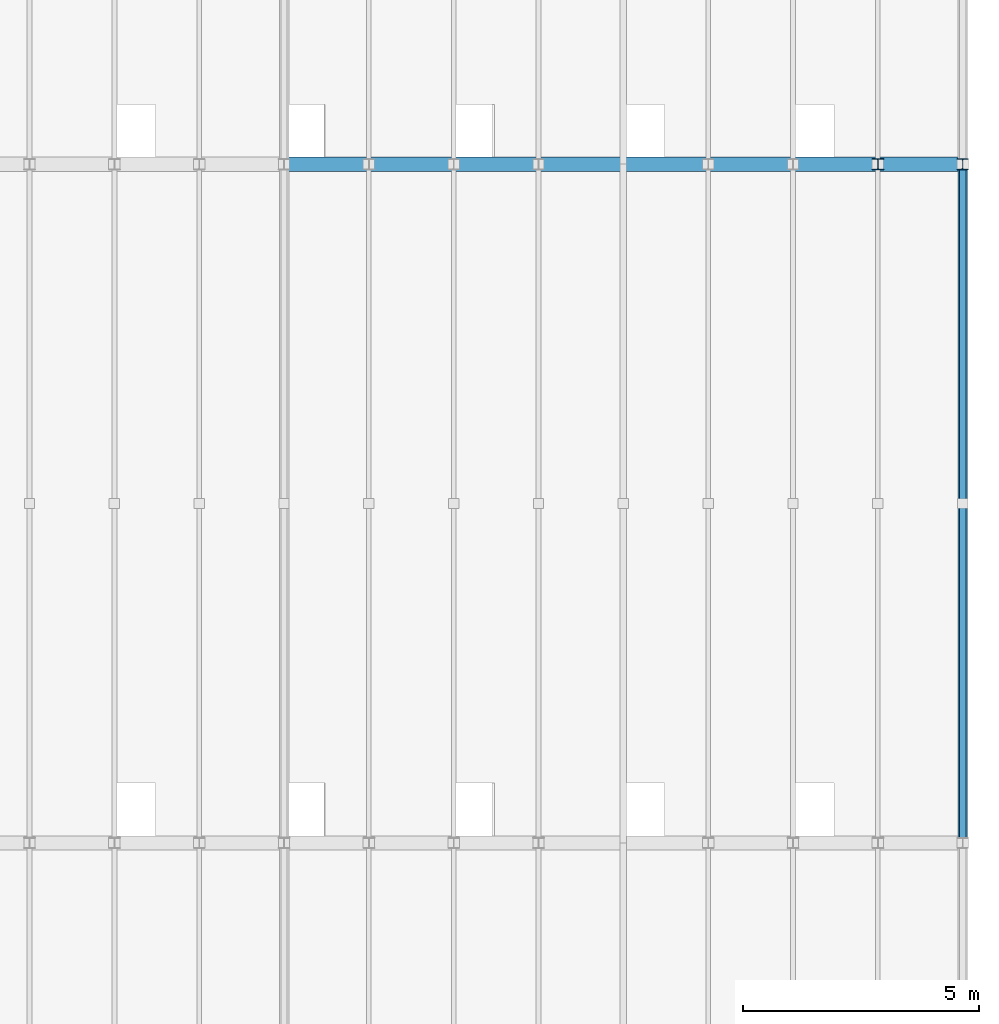
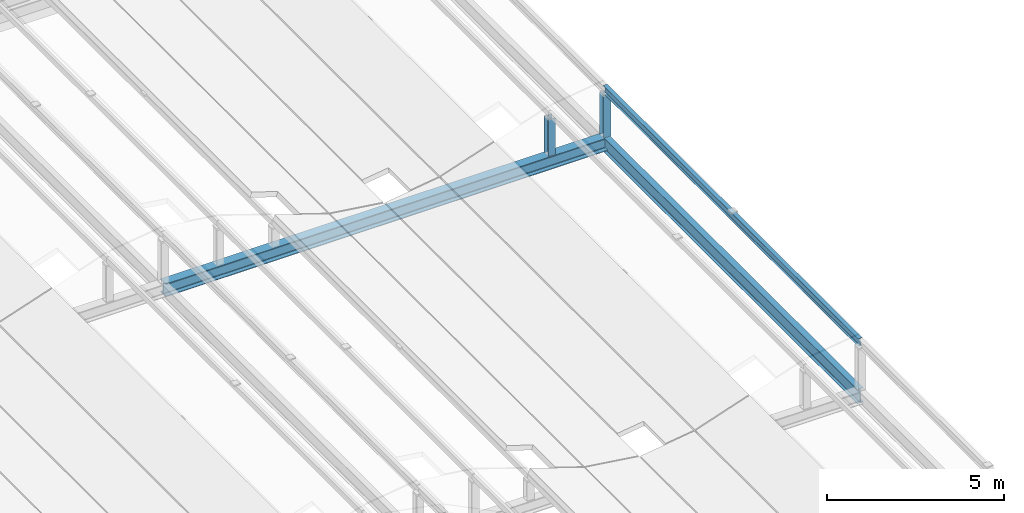
# One storey, part 32 of 83: 3 members, 2 beams.
"""IFC4 building model written with IfcOpenShell, lengths in metres."""

from ifc_helpers import new_model, si_unit, direction, frame, origin, origin_2d, place, context, subcontext, project, spatial, i_section, extrude, material, material_profile, profile_set, type_object, element, save


model = new_model("IFC4")

# Units and contexts
model_context = context("Model", 3, precision=1e-05, world=origin(), true_north=direction((0.0, 1.0)))
body_context = subcontext(model_context, "Body", "Model", "MODEL_VIEW")
ifc_project = project(units=[si_unit("LENGTHUNIT", "METRE"), si_unit("AREAUNIT", "SQUARE_METRE"), si_unit("VOLUMEUNIT", "CUBIC_METRE"), si_unit("PLANEANGLEUNIT", "RADIAN"), si_unit("MASSUNIT", "GRAM", prefix="KILO")], contexts=[model_context])

# Site, building, storey
site_placement = place(None, origin())
site = spatial("IfcSite", under=ifc_project, at=site_placement, CompositionType="ELEMENT")
building_placement = place(site_placement, origin())
building = spatial("IfcBuilding", under=site, at=building_placement, Name="Leyfeld Transit Interchange", CompositionType="ELEMENT")
storey_placement = place(building_placement, frame((0.0, 0.0, 5.39990234375)))
storey = spatial("IfcBuildingStorey", under=building, at=storey_placement, Name="L01", CompositionType="ELEMENT", Elevation=5.39990234375)

# Beams
ifc_material = material(Name="Steel S355J2", Category="steel")
ifc_material_profile_1 = material_profile(ifc_material, i_section(OverallWidth=0.300048828125, OverallDepth=0.449951171875, WebThickness=0.013916015625, FlangeThickness=0.02587890625, FilletRadius=0.027099609375, at=origin_2d()), Name="HEB 450")
ifc_profile_set_1 = profile_set([ifc_material_profile_1], Name="Steel S355J2")
beam_type_1 = type_object("IfcBeamType", Name="BM-STL-HEB450", PredefinedType="JOIST", material=ifc_profile_set_1)
beam_1_placement = place(storey_placement, frame((172.800048828125, 28.800048828125, 0.675048828125), z_axis=(1.0, 0.0, 0.0), x_axis=(0.0, 1.0, 0.0)))
element("IfcBeam", 1, at=beam_1_placement, inside=storey, type_object=beam_type_1, Name="Bus Canopy Longitudinal Girder R3 B6", PredefinedType="JOIST", context=body_context, shape_type="SweptSolid", body=[
    extrude(i_section(OverallWidth=0.300048828125, OverallDepth=0.449951171875, WebThickness=0.013916015625, FlangeThickness=0.02587890625, FilletRadius=0.027099609375, at=origin_2d()), origin(), (0.0, 0.0, 1.0), 14.39990234375),
])
ifc_material_profile_2 = material_profile(ifc_material, i_section(OverallWidth=0.199951171875, OverallDepth=0.5, WebThickness=0.01025390625, FlangeThickness=0.01611328125, FilletRadius=0.02099609375, at=origin_2d()), Name="IPE 500")
ifc_profile_set_2 = profile_set([ifc_material_profile_2], Name="Steel S355J2")
beam_type_2 = type_object("IfcBeamType", Name="BM-STL-IPE500", PredefinedType="BEAM", material=ifc_profile_set_2)
beam_2_placement = place(storey_placement, frame((187.199951171875, 14.39990234375, 0.650146484375), z_axis=(0.0, 1.0, 0.0), x_axis=(-1.0, 0.0, 0.0)))
element("IfcBeam", 2, at=beam_2_placement, inside=storey, type_object=beam_type_2, Name="Bus Canopy Transverse Portal Girder B7 R2", PredefinedType="BEAM", context=body_context, shape_type="SweptSolid", body=[
    extrude(i_section(OverallWidth=0.199951171875, OverallDepth=0.5, WebThickness=0.01025390625, FlangeThickness=0.01611328125, FilletRadius=0.02099609375, at=origin_2d()), origin(), (0.0, 0.0, 1.0), 14.400146484375),
])

# Members
ifc_material_profile_3 = material_profile(ifc_material, i_section(OverallWidth=0.239990234375, OverallDepth=0.22998046875, WebThickness=0.007568359375, FlangeThickness=0.011962890625, FilletRadius=0.02099609375, at=origin_2d()), Name="HEA 240")
ifc_profile_set_3 = profile_set([ifc_material_profile_3], Name="Steel S355J2")
member_type_1 = type_object("IfcMemberType", Name="MEM-CHD-HEA240", PredefinedType="CHORD", material=ifc_profile_set_3)
member_1_placement = place(storey_placement, frame((185.39990234375, 28.800048828125, 0.860107421875), z_axis=(0.0, 0.0, 1.0), x_axis=(1.0, 0.0, 0.0)))
element("IfcMember", 3, at=member_1_placement, inside=storey, type_object=member_type_1, Name="Wave Canopy Riser Post 311", PredefinedType="CHORD", context=body_context, shape_type="SweptSolid", body=[
    extrude(i_section(OverallWidth=0.239990234375, OverallDepth=0.22998046875, WebThickness=0.007568359375, FlangeThickness=0.011962890625, FilletRadius=0.02099609375, at=origin_2d()), origin(), (0.0, 0.0, 1.0), 1.2998046875),
])
member_2_placement = place(storey_placement, frame((187.199951171875, 28.800048828125, 0.860107421875), z_axis=(0.0, 0.0, 1.0), x_axis=(1.0, 0.0, 0.0)))
element("IfcMember", 4, at=member_2_placement, inside=storey, type_object=member_type_1, Name="Wave Canopy Riser Post 318", PredefinedType="CHORD", context=body_context, shape_type="SweptSolid", body=[
    extrude(i_section(OverallWidth=0.239990234375, OverallDepth=0.22998046875, WebThickness=0.007568359375, FlangeThickness=0.011962890625, FilletRadius=0.02099609375, at=origin_2d()), origin(), (0.0, 0.0, 1.0), 1.488037109375),
])
ifc_material_profile_4 = material_profile(ifc_material, i_section(OverallWidth=0.135009765625, OverallDepth=0.27001953125, WebThickness=0.006591796875, FlangeThickness=0.01025390625, FilletRadius=0.014892578125, at=origin_2d()), Name="IPE 270")
ifc_profile_set_4 = profile_set([ifc_material_profile_4], Name="Steel S355J2")
member_type_2 = type_object("IfcMemberType", Name="MEM-PUR-IPE270", PredefinedType="PURLIN", material=ifc_profile_set_4)
member_3_placement = place(storey_placement, frame((187.199951171875, 14.39990234375, 2.498291015625), z_axis=(0.0, 1.0, 0.0), x_axis=(-1.0, 0.0, 0.0)))
element("IfcMember", 5, at=member_3_placement, inside=storey, type_object=member_type_2, Name="Bus Canopy Purlin 315", PredefinedType="PURLIN", context=body_context, shape_type="SweptSolid", body=[
    extrude(i_section(OverallWidth=0.135009765625, OverallDepth=0.27001953125, WebThickness=0.006591796875, FlangeThickness=0.01025390625, FilletRadius=0.014892578125, at=origin_2d()), origin(), (0.0, 0.0, 1.0), 14.400146484375),
])

save(model, "model.ifc")
